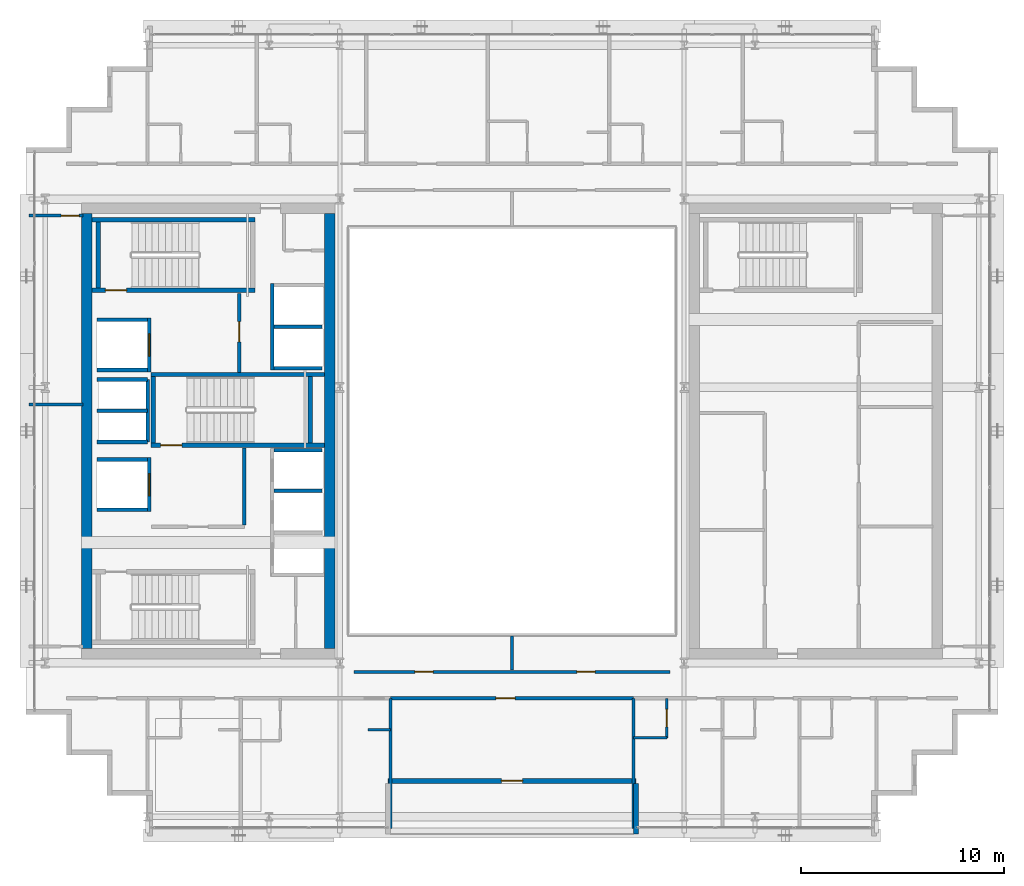
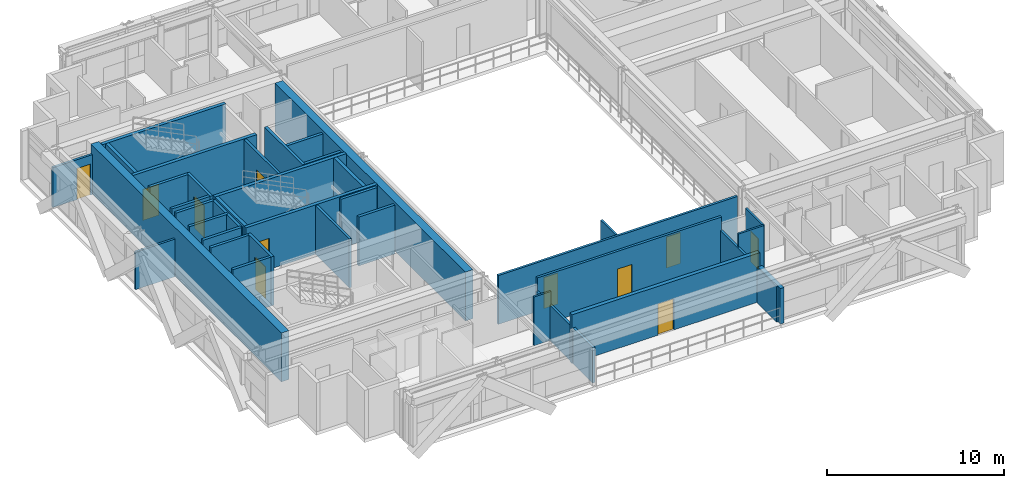
# One storey, part 24 of 31: 38 walls, 11 doors, 11 openings.
"""IFC4 building model written with IfcOpenShell, lengths in metres."""

from ifc_helpers import new_model, si_unit, direction, frame, frame_2d, origin, place, context, subcontext, project, spatial, rectangle, extrude, source, transform, mapped, material, layer, layer_set, type_object, element, fill, save


model = new_model("IFC4")

# Units and contexts
model_context = context("Model", 3, precision=1e-05, world=origin(), true_north=direction((0.0, 1.0)))
body_context = subcontext(model_context, "Body", "Model", "MODEL_VIEW")
ifc_project = project(units=[si_unit("LENGTHUNIT", "METRE"), si_unit("AREAUNIT", "SQUARE_METRE"), si_unit("VOLUMEUNIT", "CUBIC_METRE"), si_unit("PLANEANGLEUNIT", "RADIAN"), si_unit("MASSUNIT", "GRAM", prefix="KILO")], contexts=[model_context])

# Site, building, storey
site_placement = place(None, origin())
site = spatial("IfcSite", under=ifc_project, at=site_placement, CompositionType="ELEMENT")
building_placement = place(site_placement, origin())
building = spatial("IfcBuilding", under=site, at=building_placement, Name="Ocotamira Hotel", CompositionType="ELEMENT")
storey_placement = place(building_placement, frame((0.0, 0.0, 210.0)))
storey = spatial("IfcBuildingStorey", under=building, at=storey_placement, Name="L53", CompositionType="ELEMENT", Elevation=210.0)

# Walls
ifc_material_1 = material(Name="Concrete C50/60", Category="concrete")
ifc_layer_1 = layer(ifc_material_1, 0.5)
ifc_layer_set_1 = layer_set([ifc_layer_1], Name="Concrete C50/60")
wall_type_1 = type_object("IfcWallType", Name="WL-CORE-500", PredefinedType="SHEAR", material=ifc_layer_set_1)
for number, where, z_axis, x_axis, name in (
    (1, (11.0, 15.25, 0.0), (0.0, 0.0, 1.0), (0.0, 1.0, 0.0), "L53 Shear Core Wall WCORE-W"),
    (2, (23.0, 15.25, 0.0), (0.0, 0.0, 1.0), (0.0, 1.0, 0.0), "L53 Shear Core Wall WCORE-E"),
):
    element("IfcWall", number, at=place(storey_placement, frame(where, z_axis=z_axis, x_axis=x_axis)), inside=storey, type_object=wall_type_1, Name=name, PredefinedType="SHEAR", context=body_context, shape_type="SweptSolid", body=[
        extrude(rectangle(XDim=21.5, YDim=0.5, at=frame_2d((10.75, 0.0))), origin(), (0.0, 0.0, 1.0), 3.3701171875),
    ])

# Wall, opening, door
ifc_material_2 = material(Name="Precast concrete C45/55", Category="concrete")
ifc_layer_2 = layer(ifc_material_2, 0.25)
ifc_layer_set_2 = layer_set([ifc_layer_2], Name="Precast concrete C45/55")
wall_type_2 = type_object("IfcWallType", Name="WL-EXT-SER-250", PredefinedType="SOLIDWALL", material=ifc_layer_set_2)
wall_1_placement = place(storey_placement, frame((25.875, 8.72509765625, 0.0), z_axis=(0.0, 0.0, 1.0), x_axis=(1.0, 0.0, 0.0)))
wall_1 = element("IfcWall", 3, at=wall_1_placement, inside=storey, type_object=wall_type_2, Name="L53 Sky Terrace Back Wall 1", PredefinedType="SOLIDWALL", context=body_context, shape_type="SweptSolid", body=[
    extrude(rectangle(XDim=12.25, YDim=0.25, at=frame_2d((6.125, 0.0))), origin(), (0.0, 0.0, 1.0), 3.3701171875),
])
opening_1_placement = place(wall_1_placement, frame((5.60009765625, 0.0, 0.0)))
opening_1 = element("IfcOpeningElement", 4, at=opening_1_placement, cuts=wall_1, Name="Opening ED-3", PredefinedType="OPENING", context=body_context, shape_type="SweptSolid", body=[
    extrude(rectangle(XDim=1.050048828125, YDim=2.14990234375, at=frame_2d((0.52490234375, 1.074951171875))), frame((0.0, 0.135009765625, 0.0), z_axis=(0.0, -1.0, 0.0), x_axis=(1.0, 0.0, 0.0)), (0.0, 0.0, 1.0), 0.27001953125),
])
ifc_material_3 = material(Name="Thermally broken aluminium glazed door", Category="aluminium")
door_type_1 = type_object("IfcDoorType", Name="DR-TERR-1050", OperationType="NOTDEFINED", PredefinedType="DOOR", material=ifc_material_3)
shared_shape_1 = source(origin(), body_context, "Body", "SweptSolid", [
    extrude(rectangle(XDim=1.050048828125, YDim=2.14990234375, at=frame_2d((0.52490234375, 1.074951171875))), frame((0.0, 0.02490234375, 0.0), z_axis=(0.0, -1.0, 0.0), x_axis=(1.0, 0.0, 0.0)), (0.0, 0.0, 1.0), 0.050048828125),
])
door_1_placement = place(opening_1_placement, origin())
door_1 = element("IfcDoor", 5, at=door_1_placement, inside=storey, type_object=door_type_1, Name="L53 Sky Terrace Access Door 1 [ED-BAL-L53-1]", OperationType="SINGLE_SWING_LEFT", OverallHeight=2.14990234375, OverallWidth=1.050048828125, PredefinedType="DOOR", context=body_context, shape_type="MappedRepresentation", body=[
    mapped(shared_shape_1, transform((0.0, 0.0, 0.0), scale=1.0)),
])
fill(opening_1, door_1)

# Walls
wall_2_placement = place(storey_placement, frame((38.125, 6.10009765625, 0.0), z_axis=(0.0, 0.0, 1.0), x_axis=(0.0, 1.0, 0.0)))
element("IfcWall", 6, at=wall_2_placement, inside=storey, type_object=wall_type_2, Name="L53 Sky Terrace Return Wall 1R", PredefinedType="SOLIDWALL", context=body_context, shape_type="SweptSolid", body=[
    extrude(rectangle(XDim=2.5, YDim=0.25, at=frame_2d((1.25, 0.0))), origin(), (0.0, 0.0, 1.0), 2.443115234375),
])
ifc_material_4 = material(Name="Acoustic double-layer fire gypsum board partition", Category="gypsum")
ifc_layer_3 = layer(ifc_material_4, 0.159912109375)
ifc_layer_set_3 = layer_set([ifc_layer_3], Name="Acoustic double-layer fire gypsum board partition")
wall_type_3 = type_object("IfcWallType", Name="WL-FIRE-160", PredefinedType="PARTITIONING", material=ifc_layer_set_3)
wall_3_placement = place(storey_placement, frame((18.780029296875, 21.35009765625, 0.0), z_axis=(0.0, 0.0, 1.0), x_axis=(0.0, 1.0, 0.0)))
element("IfcWall", 7, at=wall_3_placement, inside=storey, type_object=wall_type_3, Name="L53 Interior Wall PW-L53-FSAE1-E", PredefinedType="PARTITIONING", context=body_context, shape_type="SweptSolid", body=[
    extrude(rectangle(XDim=3.809814453125, YDim=0.159912109375, at=frame_2d((1.90478515625, 0.0))), origin(), (0.0, 0.0, 1.0), 3.3701171875),
])

# Wall, opening, door
wall_4_placement = place(storey_placement, frame((18.530029296875, 28.89990234375, 0.0), z_axis=(0.0, 0.0, 1.0), x_axis=(0.0, 1.0, 0.0)))
wall_4 = element("IfcWall", 8, at=wall_4_placement, inside=storey, type_object=wall_type_3, Name="L53 Interior Wall PW-L53-FSAE2-E", PredefinedType="PARTITIONING", context=body_context, shape_type="SweptSolid", body=[
    extrude(rectangle(XDim=3.900146484375, YDim=0.159912109375, at=frame_2d((1.9501953125, 0.0))), origin(), (0.0, 0.0, 1.0), 3.3701171875),
])
opening_2_placement = place(wall_4_placement, frame((1.5, 0.0, 0.0)))
opening_2 = element("IfcOpeningElement", 9, at=opening_2_placement, cuts=wall_4, Name="Opening D-FR2", PredefinedType="OPENING", context=body_context, shape_type="SweptSolid", body=[
    extrude(rectangle(XDim=1.0, YDim=2.14990234375, at=frame_2d((0.5, 1.074951171875))), frame((0.0, 0.08984375, 0.0), z_axis=(0.0, -1.0, 0.0), x_axis=(1.0, 0.0, 0.0)), (0.0, 0.0, 1.0), 0.179931640625),
])
ifc_material_5 = material(Name="Fire-rated acoustic timber-veneer door", Category="wood")
door_type_2 = type_object("IfcDoorType", Name="DR-FIRE-1000", OperationType="NOTDEFINED", PredefinedType="DOOR", material=ifc_material_5)
shared_shape_2 = source(origin(), body_context, "Body", "SweptSolid", [
    extrude(rectangle(XDim=1.0, YDim=2.14990234375, at=frame_2d((0.5, 1.074951171875))), frame((0.0, 0.02490234375, 0.0), z_axis=(0.0, -1.0, 0.0), x_axis=(1.0, 0.0, 0.0)), (0.0, 0.0, 1.0), 0.050048828125),
])
door_2_placement = place(opening_2_placement, origin())
door_2 = element("IfcDoor", 10, at=door_2_placement, inside=storey, type_object=door_type_2, Name="L53 Door ID-L53-FSAE2-D [ID-L53-FSAE2-D]", OperationType="SINGLE_SWING_RIGHT", OverallHeight=2.14990234375, OverallWidth=1.0, PredefinedType="DOOR", context=body_context, shape_type="MappedRepresentation", body=[
    mapped(shared_shape_2, transform((0.0, 0.0, 0.0), scale=1.0)),
])
fill(opening_2, door_2)

wall_5_placement = place(storey_placement, frame((26.0, 12.800048828125, 0.0), z_axis=(0.0, 0.0, 1.0), x_axis=(1.0, 0.0, 0.0)))
wall_5 = element("IfcWall", 11, at=wall_5_placement, inside=storey, type_object=wall_type_3, Name="L53 Interior Wall PW-L53-Z3E-TSALN", PredefinedType="PARTITIONING", context=body_context, shape_type="SweptSolid", body=[
    extrude(rectangle(XDim=12.0, YDim=0.159912109375, at=frame_2d((6.0, 0.0))), origin(), (0.0, 0.0, 1.0), 3.3701171875),
])
opening_3_placement = place(wall_5_placement, frame((5.199951171875, 0.0, 0.0)))
opening_3 = element("IfcOpeningElement", 12, at=opening_3_placement, cuts=wall_5, Name="Opening D-SV4", PredefinedType="OPENING", context=body_context, shape_type="SweptSolid", body=[
    extrude(rectangle(XDim=0.9599609375, YDim=2.14990234375, at=frame_2d((0.47998046875, 1.074951171875))), frame((0.0, 0.08984375, 0.0), z_axis=(0.0, -1.0, 0.0), x_axis=(1.0, 0.0, 0.0)), (0.0, 0.0, 1.0), 0.179931640625),
])
ifc_material_6 = material(Name="Fire-rated accessible walnut salon door", Category="wood")
door_type_3 = type_object("IfcDoorType", Name="DR-SERV-960", OperationType="NOTDEFINED", PredefinedType="DOOR", material=ifc_material_6)
shared_shape_3 = source(origin(), body_context, "Body", "SweptSolid", [
    extrude(rectangle(XDim=0.9599609375, YDim=2.14990234375, at=frame_2d((0.47998046875, 1.074951171875))), frame((0.0, 0.02490234375, 0.0), z_axis=(0.0, -1.0, 0.0), x_axis=(1.0, 0.0, 0.0)), (0.0, 0.0, 1.0), 0.050048828125),
])
door_3_placement = place(opening_3_placement, origin())
door_3 = element("IfcDoor", 13, at=door_3_placement, inside=storey, type_object=door_type_3, Name="L53 Door ID-L53-Z3E-TSALD [ID-L53-Z3E-TSALD]", OperationType="SINGLE_SWING_LEFT", OverallHeight=2.14990234375, OverallWidth=0.9599609375, PredefinedType="DOOR", context=body_context, shape_type="MappedRepresentation", body=[
    mapped(shared_shape_3, transform((0.0, 0.0, 0.0), scale=1.0)),
])
fill(opening_3, door_3)

# Wall
ifc_material_7 = material(Name="Moisture-resistant en-suite tile and gypsum partition", Category="gypsum")
ifc_layer_4 = layer(ifc_material_7, 0.1201171875)
ifc_layer_set_4 = layer_set([ifc_layer_4], Name="Moisture-resistant en-suite tile and gypsum partition")
wall_type_4 = type_object("IfcWallType", Name="WL-PART-120", PredefinedType="PARTITIONING", material=ifc_layer_set_4)
wall_6_placement = place(storey_placement, frame((24.89990234375, 11.25, 0.0), z_axis=(0.0, 0.0, 1.0), x_axis=(1.0, 0.0, 0.0)))
element("IfcWall", 14, at=wall_6_placement, inside=storey, type_object=wall_type_4, Name="L53 Interior Wall PW-L53-Z3ESW-DRN2", PredefinedType="PARTITIONING", context=body_context, shape_type="SweptSolid", body=[
    extrude(rectangle(XDim=1.10009765625, YDim=0.1201171875, at=frame_2d((0.550048828125, 0.0))), origin(), (0.0, 0.0, 1.0), 3.3701171875),
])

# Wall, opening, door
wall_7_placement = place(storey_placement, frame((39.64990234375, 10.85009765625, 0.0), z_axis=(0.0, 0.0, 1.0), x_axis=(0.0, 1.0, 0.0)))
wall_7 = element("IfcWall", 15, at=wall_7_placement, inside=storey, type_object=wall_type_4, Name="L53 Interior Wall PW-L53-Z3ESE-BAE1", PredefinedType="PARTITIONING", context=body_context, shape_type="SweptSolid", body=[
    extrude(rectangle(XDim=1.949951171875, YDim=0.1201171875, at=frame_2d((0.97509765625, 0.0))), origin(), (0.0, 0.0, 1.0), 3.3701171875),
])
opening_4_placement = place(wall_7_placement, frame((0.544921875, 0.0, 0.0)))
opening_4 = element("IfcOpeningElement", 16, at=opening_4_placement, cuts=wall_7, Name="Opening D-BA1", PredefinedType="OPENING", context=body_context, shape_type="SweptSolid", body=[
    extrude(rectangle(XDim=0.860107421875, YDim=2.10009765625, at=frame_2d((0.43017578125, 1.050048828125))), frame((0.0, 0.070068359375, 0.0), z_axis=(0.0, -1.0, 0.0), x_axis=(1.0, 0.0, 0.0)), (0.0, 0.0, 1.0), 0.14013671875),
])
ifc_material_8 = material(Name="Moisture-sealed en-suite timber door", Category="wood")
door_type_4 = type_object("IfcDoorType", Name="DR-BATH-860", OperationType="NOTDEFINED", PredefinedType="DOOR", material=ifc_material_8)
shared_shape_4 = source(origin(), body_context, "Body", "SweptSolid", [
    extrude(rectangle(XDim=0.860107421875, YDim=2.10009765625, at=frame_2d((0.43017578125, 1.050048828125))), frame((0.0, 0.02490234375, 0.0), z_axis=(0.0, -1.0, 0.0), x_axis=(1.0, 0.0, 0.0)), (0.0, 0.0, 1.0), 0.050048828125),
])
door_4_placement = place(opening_4_placement, origin())
door_4 = element("IfcDoor", 17, at=door_4_placement, inside=storey, type_object=door_type_4, Name="L53 Door ID-L53-Z3ESE-BAD1 [ID-L53-Z3ESE-BAD1]", OperationType="SINGLE_SWING_RIGHT", OverallHeight=2.10009765625, OverallWidth=0.860107421875, PredefinedType="DOOR", context=body_context, shape_type="MappedRepresentation", body=[
    mapped(shared_shape_4, transform((0.0, 0.0, 0.0), scale=1.0)),
])
fill(opening_4, door_4)

# Walls
wall_8_placement = place(storey_placement, frame((38.0, 10.85009765625, 0.0), z_axis=(0.0, 0.0, 1.0), x_axis=(1.0, 0.0, 0.0)))
element("IfcWall", 18, at=wall_8_placement, inside=storey, type_object=wall_type_4, Name="L53 Interior Wall PW-L53-Z3ESE-BAS1", PredefinedType="PARTITIONING", context=body_context, shape_type="SweptSolid", body=[
    extrude(rectangle(XDim=1.64990234375, YDim=0.1201171875, at=frame_2d((0.824951171875, 0.0))), origin(), (0.0, 0.0, 1.0), 3.3701171875),
])
ifc_material_9 = material(Name="Acoustic hospitality gypsum board partition", Category="gypsum")
ifc_layer_5 = layer(ifc_material_9, 0.14208984375)
ifc_layer_set_5 = layer_set([ifc_layer_5], Name="Acoustic hospitality gypsum board partition")
wall_type_5 = type_object("IfcWallType", Name="WL-PART-142", PredefinedType="PARTITIONING", material=ifc_layer_set_5)
wall_9_placement = place(storey_placement, frame((32.0, 14.199951171875, 0.0), z_axis=(0.0, 0.0, 1.0), x_axis=(0.0, 1.0, 0.0)))
element("IfcWall", 19, at=wall_9_placement, inside=storey, type_object=wall_type_5, Name="L53 Interior Wall PW-L53-Z3E-ASD1", PredefinedType="PARTITIONING", context=body_context, shape_type="SweptSolid", body=[
    extrude(rectangle(XDim=1.679931640625, YDim=0.14208984375, at=frame_2d((0.83984375, 0.0))), origin(), (0.0, 0.0, 1.0), 3.3701171875),
])
wall_10_placement = place(storey_placement, frame((8.159912109375, 27.300048828125, 0.0), z_axis=(0.0, 0.0, 1.0), x_axis=(1.0, 0.0, 0.0)))
element("IfcWall", 20, at=wall_10_placement, inside=storey, type_object=wall_type_5, Name="L53 Interior Wall PW-L53-Z3E-WF-DV1", PredefinedType="PARTITIONING", context=body_context, shape_type="SweptSolid", body=[
    extrude(rectangle(XDim=2.66015625, YDim=0.14208984375, at=frame_2d((1.330078125, 0.0))), origin(), (0.0, 0.0, 1.0), 2.591064453125),
])

# Wall, openings, doors
ifc_layer_6 = layer(ifc_material_9, 0.14990234375)
ifc_layer_set_6 = layer_set([ifc_layer_6], Name="Acoustic hospitality gypsum board partition")
wall_type_6 = type_object("IfcWallType", Name="WL-PART-150", PredefinedType="PARTITIONING", material=ifc_layer_set_6)
wall_11_placement = place(storey_placement, frame((24.199951171875, 14.10009765625, 0.0), z_axis=(0.0, 0.0, 1.0), x_axis=(1.0, 0.0, 0.0)))
wall_11 = element("IfcWall", 21, at=wall_11_placement, inside=storey, type_object=wall_type_6, Name="L53 Interior Wall PW-L53-Z3E-ATRSW", PredefinedType="PARTITIONING", context=body_context, shape_type="SweptSolid", body=[
    extrude(rectangle(XDim=15.60009765625, YDim=0.14990234375, at=frame_2d((7.800048828125, 0.0))), origin(), (0.0, 0.0, 1.0), 3.3701171875),
])
opening_5_placement = place(wall_11_placement, frame((3.0, 0.0, 0.0)))
opening_5 = element("IfcOpeningElement", 22, at=opening_5_placement, cuts=wall_11, Name="Opening D-IN3", PredefinedType="OPENING", context=body_context, shape_type="SweptSolid", body=[
    extrude(rectangle(XDim=0.89990234375, YDim=2.14990234375, at=frame_2d((0.449951171875, 1.074951171875))), frame((0.0, 0.0849609375, 0.0), z_axis=(0.0, -1.0, 0.0), x_axis=(1.0, 0.0, 0.0)), (0.0, 0.0, 1.0), 0.169921875),
])
opening_6_placement = place(wall_11_placement, frame((11.0, 0.0, 0.0)))
opening_6 = element("IfcOpeningElement", 23, at=opening_6_placement, cuts=wall_11, Name="Opening D-IN3", PredefinedType="OPENING", context=body_context, shape_type="SweptSolid", body=[
    extrude(rectangle(XDim=0.89990234375, YDim=2.14990234375, at=frame_2d((0.449951171875, 1.074951171875))), frame((0.0, 0.0849609375, 0.0), z_axis=(0.0, -1.0, 0.0), x_axis=(1.0, 0.0, 0.0)), (0.0, 0.0, 1.0), 0.169921875),
])
ifc_material_10 = material(Name="Painted service room door", Category="steel")
door_type_5 = type_object("IfcDoorType", Name="DR-INT-900", OperationType="NOTDEFINED", PredefinedType="DOOR", material=ifc_material_10)
shared_shape_5 = source(origin(), body_context, "Body", "SweptSolid", [
    extrude(rectangle(XDim=0.89990234375, YDim=2.14990234375, at=frame_2d((0.449951171875, 1.074951171875))), frame((0.0, 0.02490234375, 0.0), z_axis=(0.0, -1.0, 0.0), x_axis=(1.0, 0.0, 0.0)), (0.0, 0.0, 1.0), 0.050048828125),
])
door_5_placement = place(opening_5_placement, origin())
door_5 = element("IfcDoor", 24, at=door_5_placement, inside=storey, type_object=door_type_5, Name="L53 Door ID-L53-Z3E-ASD1D [ID-L53-Z3E-ASD1D]", OperationType="SINGLE_SWING_LEFT", OverallHeight=2.14990234375, OverallWidth=0.89990234375, PredefinedType="DOOR", context=body_context, shape_type="MappedRepresentation", body=[
    mapped(shared_shape_5, transform((0.0, 0.0, 0.0), scale=1.0)),
])
fill(opening_5, door_5)
door_6_placement = place(opening_6_placement, origin())
door_6 = element("IfcDoor", 25, at=door_6_placement, inside=storey, type_object=door_type_5, Name="L53 Door ID-L53-Z3E-ASD2D [ID-L53-Z3E-ASD2D]", OperationType="SINGLE_SWING_RIGHT", OverallHeight=2.14990234375, OverallWidth=0.89990234375, PredefinedType="DOOR", context=body_context, shape_type="MappedRepresentation", body=[
    mapped(shared_shape_5, transform((0.0, 0.0, 0.0), scale=1.0)),
])
fill(opening_6, door_6)

# Wall, opening, door
wall_12_placement = place(storey_placement, frame((8.159912109375, 36.639892578125, 0.0), z_axis=(0.0, 0.0, 1.0), x_axis=(1.0, 0.0, 0.0)))
wall_12 = element("IfcWall", 26, at=wall_12_placement, inside=storey, type_object=wall_type_6, Name="L53 Interior Wall PW-L53-Z3E-WF-WN", PredefinedType="PARTITIONING", context=body_context, shape_type="SweptSolid", body=[
    extrude(rectangle(XDim=2.66015625, YDim=0.14990234375, at=frame_2d((1.330078125, 0.0))), origin(), (0.0, 0.0, 1.0), 2.7529296875),
])
opening_7_placement = place(wall_12_placement, frame((1.580078125, 0.0, 0.0)))
opening_7 = element("IfcOpeningElement", 27, at=opening_7_placement, cuts=wall_12, Name="Opening D-SV2", PredefinedType="OPENING", context=body_context, shape_type="SweptSolid", body=[
    extrude(rectangle(XDim=0.8798828125, YDim=2.14990234375, at=frame_2d((0.43994140625, 1.074951171875))), frame((0.0, 0.0849609375, 0.0), z_axis=(0.0, -1.0, 0.0), x_axis=(1.0, 0.0, 0.0)), (0.0, 0.0, 1.0), 0.169921875),
])
ifc_material_11 = material(Name="Fire-rated painted steel service door", Category="steel")
door_type_6 = type_object("IfcDoorType", Name="DR-SERV-880", OperationType="NOTDEFINED", PredefinedType="DOOR", material=ifc_material_11)
shared_shape_6 = source(origin(), body_context, "Body", "SweptSolid", [
    extrude(rectangle(XDim=0.8798828125, YDim=2.14990234375, at=frame_2d((0.43994140625, 1.074951171875))), frame((0.0, 0.02490234375, 0.0), z_axis=(0.0, -1.0, 0.0), x_axis=(1.0, 0.0, 0.0)), (0.0, 0.0, 1.0), 0.050048828125),
])
door_7_placement = place(opening_7_placement, origin())
door_7 = element("IfcDoor", 28, at=door_7_placement, inside=storey, type_object=door_type_6, Name="L53 Door ID-L53-Z3E-WF-DN [ID-L53-Z3E-WF-DN]", OperationType="SINGLE_SWING_RIGHT", OverallHeight=2.14990234375, OverallWidth=0.8798828125, PredefinedType="DOOR", context=body_context, shape_type="MappedRepresentation", body=[
    mapped(shared_shape_6, transform((0.0, 0.0, 0.0), scale=1.0)),
])
fill(opening_7, door_7)

# Walls
ifc_material_12 = material(Name="Acoustic double-stud hospitality gypsum partition", Category="gypsum")
ifc_layer_7 = layer(ifc_material_12, 0.159912109375)
ifc_layer_set_7 = layer_set([ifc_layer_7], Name="Acoustic double-stud hospitality gypsum partition")
wall_type_7 = type_object("IfcWallType", Name="WL-PART-160", PredefinedType="PARTITIONING", material=ifc_layer_set_7)
for number, where, z_axis, x_axis, name in (
    (29, (26.0, 6.360107421875, 0.0), (0.0, 0.0, 1.0), (0.0, 1.0, 0.0), "L53 Interior Wall PW-L53-Z3ESW-PWEND"),
    (30, (38.0, 6.360107421875, 0.0), (0.0, 0.0, 1.0), (0.0, 1.0, 0.0), "L53 Interior Wall PW-L53-Z3ESE-PW0"),
):
    element("IfcWall", number, at=place(storey_placement, frame(where, z_axis=z_axis, x_axis=x_axis)), inside=storey, type_object=wall_type_7, Name=name, PredefinedType="PARTITIONING", context=body_context, shape_type="SweptSolid", body=[
        extrude(rectangle(XDim=6.43994140625, YDim=0.159912109375, at=frame_2d((3.219970703125, 0.0))), origin(), (0.0, 0.0, 1.0), 2.443115234375),
    ])
ifc_material_13 = material(Name="Fire-rated gypsum shaftliner board assembly", Category="gypsum")
ifc_layer_8 = layer(ifc_material_13, 0.179931640625)
ifc_layer_set_8 = layer_set([ifc_layer_8], Name="Fire-rated gypsum shaftliner board assembly")
wall_type_8 = type_object("IfcWallType", Name="WL-SHAFT-180", PredefinedType="SOLIDWALL", material=ifc_layer_set_8)
for number, where, z_axis, x_axis, name in (
    (31, (20.25, 25.050048828125, 0.0), (0.0, 0.0, 1.0), (1.0, 0.0, 0.0), "L53 Interior Wall PW-L53-LFW-BANK-high-N"),
    (32, (20.25, 23.044921875, 0.0), (0.0, 0.0, 1.0), (1.0, 0.0, 0.0), "L53 Interior Wall PW-L53-LFW-DIV-LF-P8"),
):
    element("IfcWall", number, at=place(storey_placement, frame(where, z_axis=z_axis, x_axis=x_axis)), inside=storey, type_object=wall_type_8, Name=name, PredefinedType="SOLIDWALL", context=body_context, shape_type="SweptSolid", body=[
        extrude(rectangle(XDim=2.360107421875, YDim=0.179931640625, at=frame_2d((1.18017578125, 0.0))), origin(), (0.0, 0.0, 1.0), 3.3701171875),
    ])
wall_13_placement = place(storey_placement, frame((20.159912109375, 29.0, 0.0), z_axis=(0.0, 0.0, 1.0), x_axis=(0.0, 1.0, 0.0)))
element("IfcWall", 33, at=wall_13_placement, inside=storey, type_object=wall_type_8, Name="L53 Interior Wall PW-L53-LFW-BANK-obs-F", PredefinedType="SOLIDWALL", context=body_context, shape_type="SweptSolid", body=[
    extrude(rectangle(XDim=4.2900390625, YDim=0.179931640625, at=frame_2d((2.14501953125, 0.0))), origin(), (0.0, 0.0, 1.0), 3.3701171875),
])
for number, where, z_axis, x_axis, name in (
    (34, (20.25, 29.090087890625, 0.0), (0.0, 0.0, 1.0), (1.0, 0.0, 0.0), "L53 Interior Wall PW-L53-LFW-BANK-obs-S"),
    (35, (20.25, 31.14501953125, 0.0), (0.0, 0.0, 1.0), (1.0, 0.0, 0.0), "L53 Interior Wall PW-L53-LFW-DIV-LF-OBS1"),
):
    element("IfcWall", number, at=place(storey_placement, frame(where, z_axis=z_axis, x_axis=x_axis)), inside=storey, type_object=wall_type_8, Name=name, PredefinedType="SOLIDWALL", context=body_context, shape_type="SweptSolid", body=[
        extrude(rectangle(XDim=2.360107421875, YDim=0.179931640625, at=frame_2d((1.18017578125, 0.0))), origin(), (0.0, 0.0, 1.0), 3.3701171875),
    ])
for number, where, z_axis, x_axis, name in (
    (36, (11.5, 22.110107421875, 0.0), (0.0, 0.0, 1.0), (1.0, 0.0, 0.0), "L53 Interior Wall PW-L53-LFW-LF-FSAE1-S"),
    (37, (11.5, 24.590087890625, 0.0), (0.0, 0.0, 1.0), (1.0, 0.0, 0.0), "L53 Interior Wall PW-L53-LFW-LF-FSAE1-N"),
):
    element("IfcWall", number, at=place(storey_placement, frame(where, z_axis=z_axis, x_axis=x_axis)), inside=storey, type_object=wall_type_8, Name=name, PredefinedType="SOLIDWALL", context=body_context, shape_type="SweptSolid", body=[
        extrude(rectangle(XDim=2.5, YDim=0.179931640625, at=frame_2d((1.25, 0.0))), origin(), (0.0, 0.0, 1.0), 3.3701171875),
    ])

# Wall, opening, door
wall_14_placement = place(storey_placement, frame((14.090087890625, 22.02001953125, 0.0), z_axis=(0.0, 0.0, 1.0), x_axis=(0.0, 1.0, 0.0)))
wall_14 = element("IfcWall", 38, at=wall_14_placement, inside=storey, type_object=wall_type_8, Name="L53 Interior Wall PW-L53-LFW-LF-FSAE1-E", PredefinedType="SOLIDWALL", context=body_context, shape_type="SweptSolid", body=[
    extrude(rectangle(XDim=2.659912109375, YDim=0.179931640625, at=frame_2d((1.330078125, 0.0))), origin(), (0.0, 0.0, 1.0), 3.3701171875),
])
opening_8_placement = place(wall_14_placement, frame((0.780029296875, 0.0, 0.0)))
opening_8 = element("IfcOpeningElement", 39, at=opening_8_placement, cuts=wall_14, Name="Opening LD-LF-FSAE1", PredefinedType="OPENING", context=body_context, shape_type="SweptSolid", body=[
    extrude(rectangle(XDim=1.10009765625, YDim=2.199951171875, at=frame_2d((0.550048828125, 1.10009765625))), frame((0.0, 0.10009765625, 0.0), z_axis=(0.0, -1.0, 0.0), x_axis=(1.0, 0.0, 0.0)), (0.0, 0.0, 1.0), 0.199951171875),
])
ifc_material_14 = material(Name="Brushed pale-metal stainless elevator landing door", Category="steel")
door_type_7 = type_object("IfcDoorType", Name="DR-LIFT-1100", OperationType="NOTDEFINED", PredefinedType="DOOR", material=ifc_material_14)
shared_shape_7 = source(origin(), body_context, "Body", "SweptSolid", [
    extrude(rectangle(XDim=1.10009765625, YDim=2.199951171875, at=frame_2d((0.550048828125, 1.10009765625))), frame((0.0, 0.02490234375, 0.0), z_axis=(0.0, -1.0, 0.0), x_axis=(1.0, 0.0, 0.0)), (0.0, 0.0, 1.0), 0.050048828125),
])
door_8_placement = place(opening_8_placement, origin())
door_8 = element("IfcDoor", 40, at=door_8_placement, inside=storey, type_object=door_type_7, Name="L53 Landing Door LD-LF-FSAE1 [ID-L53-LD-LF-FSAE1]", OperationType="DOUBLE_DOOR_SLIDING", OverallHeight=2.199951171875, OverallWidth=1.10009765625, PredefinedType="DOOR", context=body_context, shape_type="MappedRepresentation", body=[
    mapped(shared_shape_7, transform((0.0, 0.0, 0.0), scale=1.0)),
])
fill(opening_8, door_8)

# Walls
for number, where, z_axis, x_axis, name in (
    (41, (11.5, 29.010009765625, 0.0), (0.0, 0.0, 1.0), (1.0, 0.0, 0.0), "L53 Interior Wall PW-L53-LFW-LF-FSAE2-S"),
    (42, (11.5, 31.489990234375, 0.0), (0.0, 0.0, 1.0), (1.0, 0.0, 0.0), "L53 Interior Wall PW-L53-LFW-LF-FSAE2-N"),
):
    element("IfcWall", number, at=place(storey_placement, frame(where, z_axis=z_axis, x_axis=x_axis)), inside=storey, type_object=wall_type_8, Name=name, PredefinedType="SOLIDWALL", context=body_context, shape_type="SweptSolid", body=[
        extrude(rectangle(XDim=2.5, YDim=0.179931640625, at=frame_2d((1.25, 0.0))), origin(), (0.0, 0.0, 1.0), 3.3701171875),
    ])

# Wall, opening, door
wall_15_placement = place(storey_placement, frame((14.090087890625, 28.919921875, 0.0), z_axis=(0.0, 0.0, 1.0), x_axis=(0.0, 1.0, 0.0)))
wall_15 = element("IfcWall", 43, at=wall_15_placement, inside=storey, type_object=wall_type_8, Name="L53 Interior Wall PW-L53-LFW-LF-FSAE2-E", PredefinedType="SOLIDWALL", context=body_context, shape_type="SweptSolid", body=[
    extrude(rectangle(XDim=2.66015625, YDim=0.179931640625, at=frame_2d((1.330078125, 0.0))), origin(), (0.0, 0.0, 1.0), 3.3701171875),
])
opening_9_placement = place(wall_15_placement, frame((0.780029296875, 0.0, 0.0)))
opening_9 = element("IfcOpeningElement", 44, at=opening_9_placement, cuts=wall_15, Name="Opening LD-LF-FSAE2", PredefinedType="OPENING", context=body_context, shape_type="SweptSolid", body=[
    extrude(rectangle(XDim=1.10009765625, YDim=2.199951171875, at=frame_2d((0.550048828125, 1.10009765625))), frame((0.0, 0.10009765625, 0.0), z_axis=(0.0, -1.0, 0.0), x_axis=(1.0, 0.0, 0.0)), (0.0, 0.0, 1.0), 0.199951171875),
])
door_9_placement = place(opening_9_placement, origin())
door_9 = element("IfcDoor", 45, at=door_9_placement, inside=storey, type_object=door_type_7, Name="L53 Landing Door LD-LF-FSAE2 [ID-L53-LD-LF-FSAE2]", OperationType="DOUBLE_DOOR_SLIDING", OverallHeight=2.199951171875, OverallWidth=1.10009765625, PredefinedType="DOOR", context=body_context, shape_type="MappedRepresentation", body=[
    mapped(shared_shape_7, transform((0.0, 0.0, 0.0), scale=1.0)),
])
fill(opening_9, door_9)

# Walls
for number, where, z_axis, x_axis, name in (
    (46, (11.5, 25.4599609375, 0.0), (0.0, 0.0, 1.0), (1.0, 0.0, 0.0), "L53 Interior Wall PW-L53-RSW-S"),
    (47, (11.5, 27.0, 0.0), (0.0, 0.0, 1.0), (1.0, 0.0, 0.0), "L53 Interior Wall PW-L53-RSW-MID"),
    (48, (11.5, 28.5400390625, 0.0), (0.0, 0.0, 1.0), (1.0, 0.0, 0.0), "L53 Interior Wall PW-L53-RSW-N"),
):
    element("IfcWall", number, at=place(storey_placement, frame(where, z_axis=z_axis, x_axis=x_axis)), inside=storey, type_object=wall_type_8, Name=name, PredefinedType="SOLIDWALL", context=body_context, shape_type="SweptSolid", body=[
        extrude(rectangle(XDim=2.510009765625, YDim=0.179931640625, at=frame_2d((1.2548828125, 0.0))), origin(), (0.0, 0.0, 1.0), 3.3701171875),
    ])
wall_16_placement = place(storey_placement, frame((14.010009765625, 25.4599609375, 0.0), z_axis=(0.0, 0.0, 1.0), x_axis=(0.0, 1.0, 0.0)))
element("IfcWall", 49, at=wall_16_placement, inside=storey, type_object=wall_type_8, Name="L53 Interior Wall PW-L53-RSW-E", PredefinedType="SOLIDWALL", context=body_context, shape_type="SweptSolid", body=[
    extrude(rectangle(XDim=3.080078125, YDim=0.179931640625, at=frame_2d((1.5400390625, 0.0))), origin(), (0.0, 0.0, 1.0), 3.3701171875),
])

# Wall, opening, door
ifc_layer_9 = layer(ifc_material_1, 0.219970703125)
ifc_layer_set_9 = layer_set([ifc_layer_9], Name="Concrete C50/60")
wall_type_9 = type_object("IfcWallType", Name="WL-STAIR-220", PredefinedType="SHEAR", material=ifc_layer_set_9)
wall_17_placement = place(storey_placement, frame((11.25, 32.93994140625, 0.0), z_axis=(0.0, 0.0, 1.0), x_axis=(1.0, 0.0, 0.0)))
wall_17 = element("IfcWall", 50, at=wall_17_placement, inside=storey, type_object=wall_type_9, Name="L53 Stair Shaft Structural Wall ST-2-S", PredefinedType="SHEAR", context=body_context, shape_type="SweptSolid", body=[
    extrude(rectangle(XDim=8.06005859375, YDim=0.219970703125, at=frame_2d((4.030029296875, 0.0))), origin(), (0.0, 0.0, 1.0), 3.39990234375),
])
opening_10_placement = place(wall_17_placement, frame((0.669921875, 0.0, 0.0)))
opening_10 = element("IfcOpeningElement", 51, at=opening_10_placement, cuts=wall_17, Name="Opening D-ST2", PredefinedType="OPENING", context=body_context, shape_type="SweptSolid", body=[
    extrude(rectangle(XDim=1.050048828125, YDim=2.14990234375, at=frame_2d((0.52490234375, 1.074951171875))), frame((0.0, 0.1201171875, 0.0), z_axis=(0.0, -1.0, 0.0), x_axis=(1.0, 0.0, 0.0)), (0.0, 0.0, 1.0), 0.239990234375),
])
ifc_material_15 = material(Name="Insulated painted hollow-metal fire exit door", Category="steel")
door_type_8 = type_object("IfcDoorType", Name="DR-STAIR-1050", OperationType="NOTDEFINED", PredefinedType="DOOR", material=ifc_material_15)
door_10_placement = place(opening_10_placement, origin())
door_10 = element("IfcDoor", 52, at=door_10_placement, inside=storey, type_object=door_type_8, Name="L53 Door ID-L53-STD-ST-2 [ID-L53-STD-ST-2]", OperationType="SINGLE_SWING_LEFT", OverallHeight=2.14990234375, OverallWidth=1.050048828125, PredefinedType="DOOR", context=body_context, shape_type="MappedRepresentation", body=[
    mapped(shared_shape_1, transform((0.0, 0.0, 0.0), scale=1.0)),
])
fill(opening_10, door_10)

# Walls
wall_18_placement = place(storey_placement, frame((11.25, 36.43994140625, 0.0), z_axis=(0.0, 0.0, 1.0), x_axis=(1.0, 0.0, 0.0)))
element("IfcWall", 53, at=wall_18_placement, inside=storey, type_object=wall_type_9, Name="L53 Stair Shaft Structural Wall ST-2-N", PredefinedType="SHEAR", context=body_context, shape_type="SweptSolid", body=[
    extrude(rectangle(XDim=8.06005859375, YDim=0.219970703125, at=frame_2d((4.030029296875, 0.0))), origin(), (0.0, 0.0, 1.0), 3.39990234375),
])
wall_19_placement = place(storey_placement, frame((11.56005859375, 33.050048828125, 0.0), z_axis=(0.0, 0.0, 1.0), x_axis=(0.0, 1.0, 0.0)))
element("IfcWall", 54, at=wall_19_placement, inside=storey, type_object=wall_type_9, Name="L53 Stair Shaft Structural Wall ST-2-W", PredefinedType="SHEAR", context=body_context, shape_type="SweptSolid", body=[
    extrude(rectangle(XDim=3.280029296875, YDim=0.219970703125, at=frame_2d((1.64013671875, 0.0))), origin(), (0.0, 0.0, 1.0), 3.39990234375),
])

# Wall, opening, door
wall_20_placement = place(storey_placement, frame((14.179931640625, 25.2900390625, 0.0), z_axis=(0.0, 0.0, 1.0), x_axis=(1.0, 0.0, 0.0)))
wall_20 = element("IfcWall", 55, at=wall_20_placement, inside=storey, type_object=wall_type_9, Name="L53 Stair Shaft Structural Wall ST-3-S", PredefinedType="SHEAR", context=body_context, shape_type="SweptSolid", body=[
    extrude(rectangle(XDim=8.570068359375, YDim=0.219970703125, at=frame_2d((4.28515625, 0.0))), origin(), (0.0, 0.0, 1.0), 3.39990234375),
])
opening_11_placement = place(wall_20_placement, frame((0.469970703125, 0.0, 0.0)))
opening_11 = element("IfcOpeningElement", 56, at=opening_11_placement, cuts=wall_20, Name="Opening D-ST2", PredefinedType="OPENING", context=body_context, shape_type="SweptSolid", body=[
    extrude(rectangle(XDim=1.050048828125, YDim=2.14990234375, at=frame_2d((0.52490234375, 1.074951171875))), frame((0.0, 0.1201171875, 0.0), z_axis=(0.0, -1.0, 0.0), x_axis=(1.0, 0.0, 0.0)), (0.0, 0.0, 1.0), 0.239990234375),
])
door_11_placement = place(opening_11_placement, origin())
door_11 = element("IfcDoor", 57, at=door_11_placement, inside=storey, type_object=door_type_8, Name="L53 Door ID-L53-STD-ST-3 [ID-L53-STD-ST-3]", OperationType="SINGLE_SWING_RIGHT", OverallHeight=2.14990234375, OverallWidth=1.050048828125, PredefinedType="DOOR", context=body_context, shape_type="MappedRepresentation", body=[
    mapped(shared_shape_1, transform((0.0, 0.0, 0.0), scale=1.0)),
])
fill(opening_11, door_11)

# Walls
wall_21_placement = place(storey_placement, frame((14.179931640625, 28.7900390625, 0.0), z_axis=(0.0, 0.0, 1.0), x_axis=(1.0, 0.0, 0.0)))
element("IfcWall", 58, at=wall_21_placement, inside=storey, type_object=wall_type_9, Name="L53 Stair Shaft Structural Wall ST-3-N", PredefinedType="SHEAR", context=body_context, shape_type="SweptSolid", body=[
    extrude(rectangle(XDim=8.570068359375, YDim=0.219970703125, at=frame_2d((4.28515625, 0.0))), origin(), (0.0, 0.0, 1.0), 3.39990234375),
])
for number, where, z_axis, x_axis, name in (
    (59, (14.2900390625, 25.39990234375, 0.0), (0.0, 0.0, 1.0), (0.0, 1.0, 0.0), "L53 Stair Shaft Structural Wall ST-3-W"),
    (60, (22.030029296875, 25.39990234375, 0.0), (0.0, 0.0, 1.0), (0.0, 1.0, 0.0), "L53 Stair Shaft Structural Wall ST-3-E"),
):
    element("IfcWall", number, at=place(storey_placement, frame(where, z_axis=z_axis, x_axis=x_axis)), inside=storey, type_object=wall_type_9, Name=name, PredefinedType="SHEAR", context=body_context, shape_type="SweptSolid", body=[
        extrude(rectangle(XDim=3.280029296875, YDim=0.219970703125, at=frame_2d((1.64013671875, 0.0))), origin(), (0.0, 0.0, 1.0), 3.39990234375),
    ])

save(model, "model.ifc")
